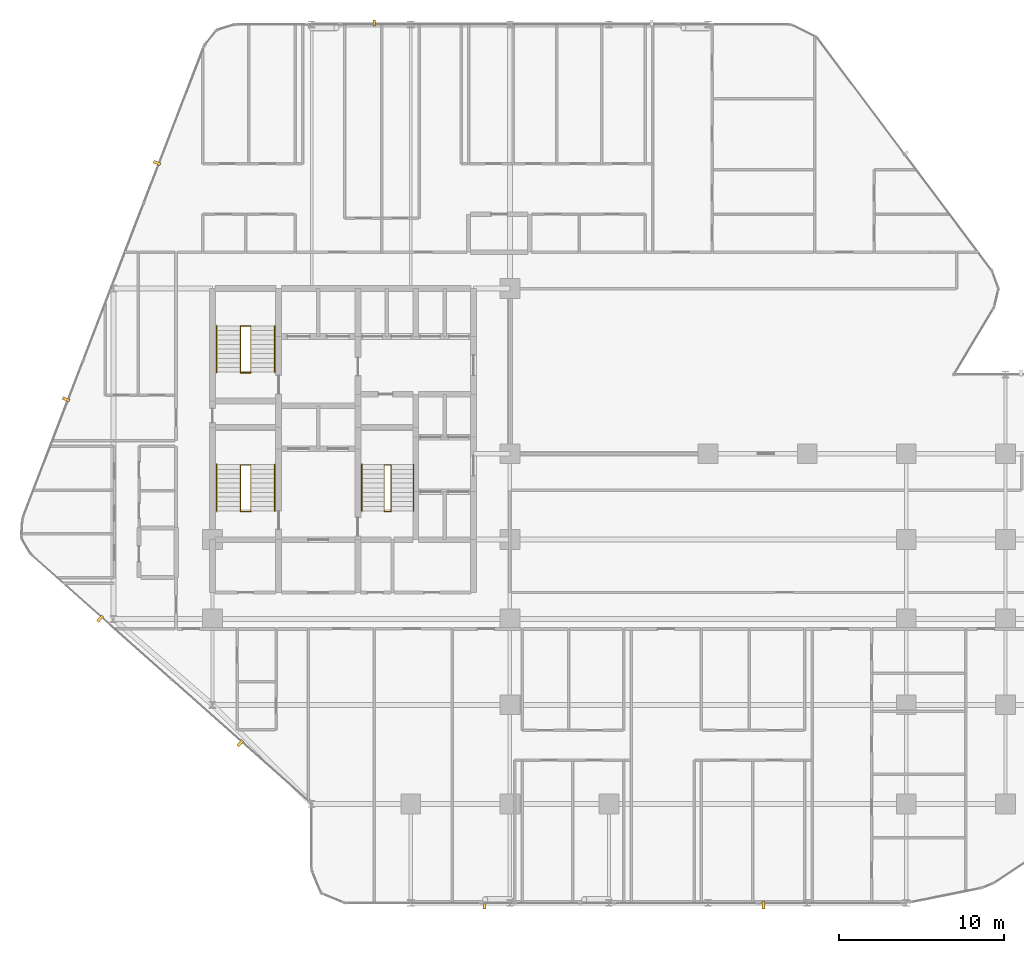
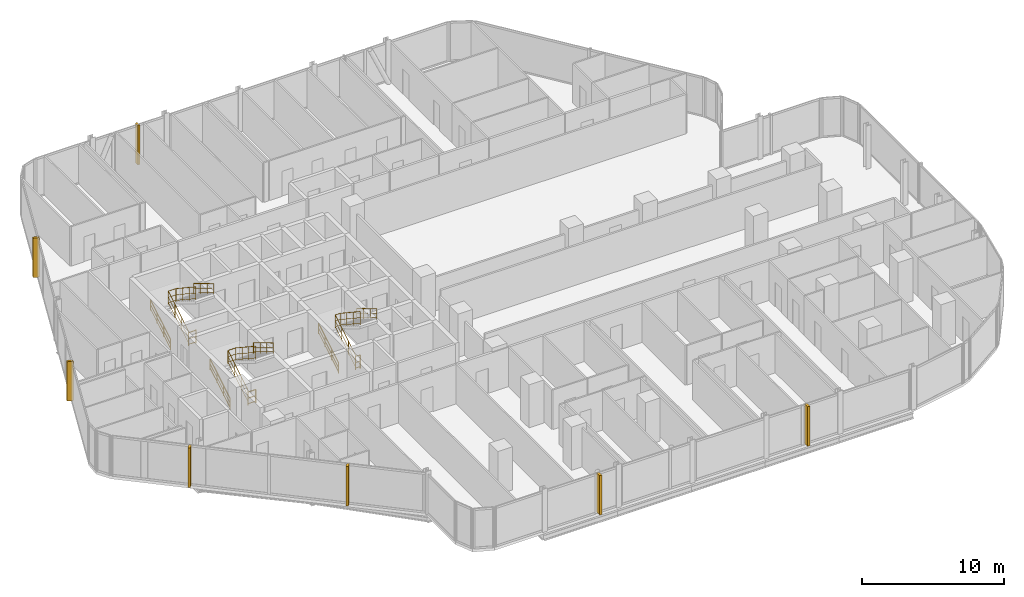
# One storey, part 33 of 34: 12 railings, 7 coverings.
"""IFC4 building model written with IfcOpenShell, lengths in metres."""

from ifc_helpers import new_model, si_unit, direction, frame, origin, origin_2d, place, context, subcontext, project, spatial, rectangle, circle, extrude, material, layer, layer_set, type_object, element, save


model = new_model("IFC4")

# Units and contexts
model_context = context("Model", 3, precision=1e-05, world=origin(), true_north=direction((0.0, 1.0)))
body_context = subcontext(model_context, "Body", "Model", "MODEL_VIEW")
ifc_project = project(units=[si_unit("LENGTHUNIT", "METRE"), si_unit("AREAUNIT", "SQUARE_METRE"), si_unit("VOLUMEUNIT", "CUBIC_METRE"), si_unit("PLANEANGLEUNIT", "RADIAN"), si_unit("MASSUNIT", "GRAM", prefix="KILO")], contexts=[model_context])

# Site, building, storey
site_placement = place(None, origin())
site = spatial("IfcSite", under=ifc_project, at=site_placement, CompositionType="ELEMENT")
building_placement = place(site_placement, origin())
building = spatial("IfcBuilding", under=site, at=building_placement, Name="Keshet Zoharim Tower", CompositionType="ELEMENT")
storey_placement = place(building_placement, frame((0.0, 0.0, 70.10009765625)))
storey = spatial("IfcBuildingStorey", under=building, at=storey_placement, Name="L16", CompositionType="ELEMENT", Elevation=70.10009765625)

# Coverings
ifc_material_1 = material(Name="Concrete C50/60 precast", Category="concrete")
covering_type_1 = type_object("IfcCoveringType", Name="FIN-SOL-360", PredefinedType="CLADDING", material=ifc_material_1)
covering_placement = place(storey_placement, frame((24.780029296875, 53.97998046875, 0.0), z_axis=(0.0, 0.0, 1.0), x_axis=(1.0, 0.0, 0.0)))
element("IfcCovering", 1, at=covering_placement, inside=storey, type_object=covering_type_1, Name="L16 Vertical Precast Solar Fin 05", PredefinedType="CLADDING", context=body_context, shape_type="SweptSolid", body=[
    extrude(rectangle(XDim=0.159912109375, YDim=0.360107421875, at=origin_2d()), origin(), (0.0, 0.0, 1.0), 3.385009765625),
])
covering_type_2 = type_object("IfcCoveringType", Name="FIN-SOL-450", PredefinedType="CLADDING", material=ifc_material_1)
for number, where, z_axis, x_axis, name in (
    (2, (16.676025390625, 10.376953125, 0.0), (0.0, 0.0, 1.0), (-0.747409318679, 0.664363838836, 0.0), "L16 Vertical Precast Solar Fin 01"),
    (3, (8.193115234375, 17.9169921875, 0.0), (0.0, 0.0, 1.0), (-0.747409318679, 0.664363838836, 0.0), "L16 Vertical Precast Solar Fin 02"),
    (4, (6.133056640625, 31.194091796875, 0.0), (0.0, 0.0, 1.0), (0.358990003907, 0.933341404361, 0.0), "L16 Vertical Precast Solar Fin 03"),
    (5, (11.637939453125, 45.507080078125, 0.0), (0.0, 0.0, 1.0), (0.358990003907, 0.933341404361, 0.0), "L16 Vertical Precast Solar Fin 04"),
    (6, (48.35205078125, 0.574951171875, 0.0), (0.0, 0.0, 1.0), (-1.0, 0.0, 0.0), "L16 Vertical Precast Solar Fin 10"),
    (7, (31.450927734375, 0.574951171875, 0.0), (0.0, 0.0, 1.0), (-1.0, 0.0, 0.0), "L16 Vertical Precast Solar Fin 11"),
):
    element("IfcCovering", number, at=place(storey_placement, frame(where, z_axis=z_axis, x_axis=x_axis)), inside=storey, type_object=covering_type_2, Name=name, PredefinedType="CLADDING", context=body_context, shape_type="SweptSolid", body=[
        extrude(rectangle(XDim=0.179931640625, YDim=0.449951171875, at=origin_2d()), origin(), (0.0, 0.0, 1.0), 3.385009765625),
    ])

# Railings
ifc_material_2 = material(Name="Steel S355", Category="steel")
ifc_layer_1 = layer(ifc_material_2, 0.050048828125)
ifc_layer_set_1 = layer_set([ifc_layer_1], Name="Steel S355")
railing_type_1 = type_object("IfcRailingType", Name="RL-HND-092", PredefinedType="HANDRAIL", material=ifc_layer_set_1)
railing_1_placement = place(storey_placement, frame((15.239990234375, 24.43994140625, 0.168212890625)))
element("IfcRailing", 8, at=railing_1_placement, inside=storey, type_object=railing_type_1, Name="L16 ST-01 Flight 1 Wall Handrail", PredefinedType="HANDRAIL", context=body_context, shape_type="SweptSolid", body=[
    extrude(circle(Radius=0.02392578125, at=origin_2d()), frame((0.0, 0.0, 0.89599609375), z_axis=(0.0, 0.857275202839, 0.514858452973), x_axis=(-1.0, 0.0, 0.0)), (0.0, 0.0, 1.0), 3.26611328125),
    extrude(circle(Radius=0.01611328125, at=origin_2d()), frame((0.0, 0.0, 0.478271484375), z_axis=(0.0, 0.857275202839, 0.514858452973), x_axis=(-1.0, 0.0, 0.0)), (0.0, 0.0, 1.0), 3.26611328125),
    extrude(circle(Radius=0.01611328125, at=origin_2d()), frame((0.0, 0.0, 0.1201171875), z_axis=(0.0, 0.857275202839, 0.514858452973), x_axis=(-1.0, 0.0, 0.0)), (0.0, 0.0, 1.0), 3.26611328125),
    extrude(circle(Radius=0.02099609375, at=origin_2d()), origin(), (0.0, 0.0, 1.0), 0.871826171875),
    extrude(circle(Radius=0.02099609375, at=origin_2d()), frame((0.0, 0.933349609375, 0.560546875)), (0.0, 0.0, 1.0), 0.871826171875),
    extrude(circle(Radius=0.02099609375, at=origin_2d()), frame((0.0, 1.86669921875, 1.12109375)), (0.0, 0.0, 1.0), 0.871826171875),
    extrude(circle(Radius=0.02099609375, at=origin_2d()), frame((0.0, 2.800048828125, 1.681640625)), (0.0, 0.0, 1.0), 0.871826171875),
])
railing_2_placement = place(storey_placement, frame((18.760009765625, 27.239990234375, 2.01806640625)))
element("IfcRailing", 9, at=railing_2_placement, inside=storey, type_object=railing_type_1, Name="L16 ST-01 Flight 2 Wall Handrail", PredefinedType="HANDRAIL", context=body_context, shape_type="SweptSolid", body=[
    extrude(circle(Radius=0.02392578125, at=origin_2d()), frame((0.0, 0.0, 0.89599609375), z_axis=(0.0, -0.857242210791, 0.514913383045), x_axis=(1.0, 0.0, 0.0)), (0.0, 0.0, 1.0), 3.266357421875),
    extrude(circle(Radius=0.01611328125, at=origin_2d()), frame((0.0, 0.0, 0.478271484375), z_axis=(0.0, -0.857242210791, 0.514913383045), x_axis=(1.0, 0.0, 0.0)), (0.0, 0.0, 1.0), 3.266357421875),
    extrude(circle(Radius=0.01611328125, at=origin_2d()), frame((0.0, 0.0, 0.1201171875), z_axis=(0.0, -0.857242210791, 0.514913383045), x_axis=(1.0, 0.0, 0.0)), (0.0, 0.0, 1.0), 3.266357421875),
    extrude(circle(Radius=0.02099609375, at=origin_2d()), origin(), (0.0, 0.0, 1.0), 0.871826171875),
    extrude(circle(Radius=0.02099609375, at=origin_2d()), frame((0.0, -0.933349609375, 0.560546875)), (0.0, 0.0, 1.0), 0.871826171875),
    extrude(circle(Radius=0.02099609375, at=origin_2d()), frame((0.0, -1.86669921875, 1.121337890625)), (0.0, 0.0, 1.0), 0.871826171875),
    extrude(circle(Radius=0.02099609375, at=origin_2d()), frame((0.0, -2.800048828125, 1.681884765625)), (0.0, 0.0, 1.0), 0.871826171875),
])
railing_3_placement = place(storey_placement, frame((15.239990234375, 32.840087890625, 0.168212890625)))
element("IfcRailing", 10, at=railing_3_placement, inside=storey, type_object=railing_type_1, Name="L16 ST-02 Flight 1 Wall Handrail", PredefinedType="HANDRAIL", context=body_context, shape_type="SweptSolid", body=[
    extrude(circle(Radius=0.02392578125, at=origin_2d()), frame((0.0, 0.0, 0.89599609375), z_axis=(0.0, 0.857255387014, 0.514891446264), x_axis=(-1.0, 0.0, 0.0)), (0.0, 0.0, 1.0), 3.26611328125),
    extrude(circle(Radius=0.01611328125, at=origin_2d()), frame((0.0, 0.0, 0.478271484375), z_axis=(0.0, 0.857255387014, 0.514891446264), x_axis=(-1.0, 0.0, 0.0)), (0.0, 0.0, 1.0), 3.26611328125),
    extrude(circle(Radius=0.01611328125, at=origin_2d()), frame((0.0, 0.0, 0.1201171875), z_axis=(0.0, 0.857255387014, 0.514891446264), x_axis=(-1.0, 0.0, 0.0)), (0.0, 0.0, 1.0), 3.26611328125),
    extrude(circle(Radius=0.02099609375, at=origin_2d()), origin(), (0.0, 0.0, 1.0), 0.871826171875),
    extrude(circle(Radius=0.02099609375, at=origin_2d()), frame((0.0, 0.933349609375, 0.560546875)), (0.0, 0.0, 1.0), 0.871826171875),
    extrude(circle(Radius=0.02099609375, at=origin_2d()), frame((0.0, 1.866455078125, 1.12109375)), (0.0, 0.0, 1.0), 0.871826171875),
    extrude(circle(Radius=0.02099609375, at=origin_2d()), frame((0.0, 2.7998046875, 1.681640625)), (0.0, 0.0, 1.0), 0.871826171875),
])
railing_4_placement = place(storey_placement, frame((18.760009765625, 35.639892578125, 2.01806640625)))
element("IfcRailing", 11, at=railing_4_placement, inside=storey, type_object=railing_type_1, Name="L16 ST-02 Flight 2 Wall Handrail", PredefinedType="HANDRAIL", context=body_context, shape_type="SweptSolid", body=[
    extrude(circle(Radius=0.02392578125, at=origin_2d()), frame((0.0, 0.0, 0.89599609375), z_axis=(0.0, -0.857222391501, 0.514946377315), x_axis=(1.0, 0.0, 0.0)), (0.0, 0.0, 1.0), 3.26611328125),
    extrude(circle(Radius=0.01611328125, at=origin_2d()), frame((0.0, 0.0, 0.478271484375), z_axis=(0.0, -0.857222391501, 0.514946377315), x_axis=(1.0, 0.0, 0.0)), (0.0, 0.0, 1.0), 3.26611328125),
    extrude(circle(Radius=0.01611328125, at=origin_2d()), frame((0.0, 0.0, 0.1201171875), z_axis=(0.0, -0.857222391501, 0.514946377315), x_axis=(1.0, 0.0, 0.0)), (0.0, 0.0, 1.0), 3.26611328125),
    extrude(circle(Radius=0.02099609375, at=origin_2d()), origin(), (0.0, 0.0, 1.0), 0.871826171875),
    extrude(circle(Radius=0.02099609375, at=origin_2d()), frame((0.0, -0.933349609375, 0.560546875)), (0.0, 0.0, 1.0), 0.871826171875),
    extrude(circle(Radius=0.02099609375, at=origin_2d()), frame((0.0, -1.866455078125, 1.121337890625)), (0.0, 0.0, 1.0), 0.871826171875),
    extrude(circle(Radius=0.02099609375, at=origin_2d()), frame((0.0, -2.7998046875, 1.681884765625)), (0.0, 0.0, 1.0), 0.871826171875),
])
railing_5_placement = place(storey_placement, frame((24.0400390625, 24.43994140625, 0.168212890625)))
element("IfcRailing", 12, at=railing_5_placement, inside=storey, type_object=railing_type_1, Name="L16 ST-03 Flight 1 Wall Handrail", PredefinedType="HANDRAIL", context=body_context, shape_type="SweptSolid", body=[
    extrude(circle(Radius=0.02392578125, at=origin_2d()), frame((0.0, 0.0, 0.89599609375), z_axis=(0.0, 0.857275202839, 0.514858452973), x_axis=(-1.0, 0.0, 0.0)), (0.0, 0.0, 1.0), 3.26611328125),
    extrude(circle(Radius=0.01611328125, at=origin_2d()), frame((0.0, 0.0, 0.478271484375), z_axis=(0.0, 0.857275202839, 0.514858452973), x_axis=(-1.0, 0.0, 0.0)), (0.0, 0.0, 1.0), 3.26611328125),
    extrude(circle(Radius=0.01611328125, at=origin_2d()), frame((0.0, 0.0, 0.1201171875), z_axis=(0.0, 0.857275202839, 0.514858452973), x_axis=(-1.0, 0.0, 0.0)), (0.0, 0.0, 1.0), 3.26611328125),
    extrude(circle(Radius=0.02099609375, at=origin_2d()), origin(), (0.0, 0.0, 1.0), 0.871826171875),
    extrude(circle(Radius=0.02099609375, at=origin_2d()), frame((0.0, 0.933349609375, 0.560546875)), (0.0, 0.0, 1.0), 0.871826171875),
    extrude(circle(Radius=0.02099609375, at=origin_2d()), frame((0.0, 1.86669921875, 1.12109375)), (0.0, 0.0, 1.0), 0.871826171875),
    extrude(circle(Radius=0.02099609375, at=origin_2d()), frame((0.0, 2.800048828125, 1.681640625)), (0.0, 0.0, 1.0), 0.871826171875),
])
railing_6_placement = place(storey_placement, frame((27.159912109375, 27.239990234375, 2.01806640625)))
element("IfcRailing", 13, at=railing_6_placement, inside=storey, type_object=railing_type_1, Name="L16 ST-03 Flight 2 Wall Handrail", PredefinedType="HANDRAIL", context=body_context, shape_type="SweptSolid", body=[
    extrude(circle(Radius=0.02392578125, at=origin_2d()), frame((0.0, 0.0, 0.89599609375), z_axis=(0.0, -0.857242210791, 0.514913383045), x_axis=(1.0, 0.0, 0.0)), (0.0, 0.0, 1.0), 3.266357421875),
    extrude(circle(Radius=0.01611328125, at=origin_2d()), frame((0.0, 0.0, 0.478271484375), z_axis=(0.0, -0.857242210791, 0.514913383045), x_axis=(1.0, 0.0, 0.0)), (0.0, 0.0, 1.0), 3.266357421875),
    extrude(circle(Radius=0.01611328125, at=origin_2d()), frame((0.0, 0.0, 0.1201171875), z_axis=(0.0, -0.857242210791, 0.514913383045), x_axis=(1.0, 0.0, 0.0)), (0.0, 0.0, 1.0), 3.266357421875),
    extrude(circle(Radius=0.02099609375, at=origin_2d()), origin(), (0.0, 0.0, 1.0), 0.871826171875),
    extrude(circle(Radius=0.02099609375, at=origin_2d()), frame((0.0, -0.933349609375, 0.560546875)), (0.0, 0.0, 1.0), 0.871826171875),
    extrude(circle(Radius=0.02099609375, at=origin_2d()), frame((0.0, -1.86669921875, 1.121337890625)), (0.0, 0.0, 1.0), 0.871826171875),
    extrude(circle(Radius=0.02099609375, at=origin_2d()), frame((0.0, -2.800048828125, 1.681884765625)), (0.0, 0.0, 1.0), 0.871826171875),
])
ifc_layer_2 = layer(ifc_material_2, 0.06005859375)
ifc_layer_set_2 = layer_set([ifc_layer_2], Name="Steel S355")
railing_type_2 = type_object("IfcRailingType", Name="RL-STG-115", PredefinedType="GUARDRAIL", material=ifc_layer_set_2)
railing_7_placement = place(storey_placement, frame((16.68994140625, 24.43994140625, 0.168212890625)))
element("IfcRailing", 14, at=railing_7_placement, inside=storey, type_object=railing_type_2, Name="L16 ST-01 Inner Well Guardrail", PredefinedType="GUARDRAIL", context=body_context, shape_type="SweptSolid", body=[
    extrude(circle(Radius=0.02392578125, at=origin_2d()), frame((0.0, 0.0, 1.1259765625), z_axis=(0.0, 0.857275202839, 0.514858452973), x_axis=(-1.0, 0.0, 0.0)), (0.0, 0.0, 1.0), 3.26611328125),
    extrude(circle(Radius=0.01611328125, at=origin_2d()), frame((0.0, 0.0, 0.597900390625), z_axis=(0.0, 0.857275202839, 0.514858452973), x_axis=(-1.0, 0.0, 0.0)), (0.0, 0.0, 1.0), 3.26611328125),
    extrude(circle(Radius=0.01611328125, at=origin_2d()), frame((0.0, 0.0, 0.1201171875), z_axis=(0.0, 0.857275202839, 0.514858452973), x_axis=(-1.0, 0.0, 0.0)), (0.0, 0.0, 1.0), 3.26611328125),
    extrude(circle(Radius=0.02392578125, at=origin_2d()), frame((0.0, 2.800048828125, 2.8076171875), z_axis=(1.0, 0.0, 0.0), x_axis=(0.0, 1.0, 0.0)), (0.0, 0.0, 1.0), 0.6201171875),
    extrude(circle(Radius=0.01611328125, at=origin_2d()), frame((0.0, 2.800048828125, 2.279541015625), z_axis=(1.0, 0.0, 0.0), x_axis=(0.0, 1.0, 0.0)), (0.0, 0.0, 1.0), 0.6201171875),
    extrude(circle(Radius=0.01611328125, at=origin_2d()), frame((0.0, 2.800048828125, 1.8017578125), z_axis=(1.0, 0.0, 0.0), x_axis=(0.0, 1.0, 0.0)), (0.0, 0.0, 1.0), 0.6201171875),
    extrude(circle(Radius=0.02392578125, at=origin_2d()), frame((0.6201171875, 2.800048828125, 2.8076171875), z_axis=(0.0, -0.834326358476, 0.551270829586), x_axis=(1.0, 0.0, 0.0)), (0.0, 0.0, 1.0), 3.35595703125),
    extrude(circle(Radius=0.01611328125, at=origin_2d()), frame((0.6201171875, 2.800048828125, 2.279541015625), z_axis=(0.0, -0.834326358476, 0.551270829586), x_axis=(1.0, 0.0, 0.0)), (0.0, 0.0, 1.0), 3.35595703125),
    extrude(circle(Radius=0.01611328125, at=origin_2d()), frame((0.6201171875, 2.800048828125, 1.8017578125), z_axis=(0.0, -0.834326358476, 0.551270829586), x_axis=(1.0, 0.0, 0.0)), (0.0, 0.0, 1.0), 3.35595703125),
    extrude(circle(Radius=0.02099609375, at=origin_2d()), origin(), (0.0, 0.0, 1.0), 1.101806640625),
    extrude(circle(Radius=0.02099609375, at=origin_2d()), frame((0.0, 0.933349609375, 0.560546875)), (0.0, 0.0, 1.0), 1.101806640625),
    extrude(circle(Radius=0.02099609375, at=origin_2d()), frame((0.0, 1.86669921875, 1.12109375)), (0.0, 0.0, 1.0), 1.101806640625),
    extrude(circle(Radius=0.02099609375, at=origin_2d()), frame((0.0, 2.800048828125, 1.681640625)), (0.0, 0.0, 1.0), 1.101806640625),
    extrude(circle(Radius=0.02099609375, at=origin_2d()), frame((0.6201171875, 2.800048828125, 1.681640625)), (0.0, 0.0, 1.0), 1.101806640625),
    extrude(circle(Radius=0.02099609375, at=origin_2d()), frame((0.6201171875, 1.86669921875, 2.29833984375)), (0.0, 0.0, 1.0), 1.101806640625),
    extrude(circle(Radius=0.02099609375, at=origin_2d()), frame((0.6201171875, 0.933349609375, 2.9150390625)), (0.0, 0.0, 1.0), 1.101806640625),
    extrude(circle(Radius=0.02099609375, at=origin_2d()), frame((0.6201171875, 0.0, 3.53173828125)), (0.0, 0.0, 1.0), 1.101806640625),
])
railing_8_placement = place(storey_placement, frame((16.68994140625, 24.409912109375, 0.0)))
element("IfcRailing", 15, at=railing_8_placement, inside=storey, type_object=railing_type_2, Name="L16 ST-01 Stairwell Floor Guardrail", PredefinedType="GUARDRAIL", context=body_context, shape_type="SweptSolid", body=[
    extrude(circle(Radius=0.02392578125, at=origin_2d()), frame((0.0, 0.0, 1.1259765625), z_axis=(1.0, 0.0, 0.0), x_axis=(0.0, 1.0, 0.0)), (0.0, 0.0, 1.0), 0.6201171875),
    extrude(circle(Radius=0.01611328125, at=origin_2d()), frame((0.0, 0.0, 0.597900390625), z_axis=(1.0, 0.0, 0.0), x_axis=(0.0, 1.0, 0.0)), (0.0, 0.0, 1.0), 0.6201171875),
    extrude(circle(Radius=0.01611328125, at=origin_2d()), frame((0.0, 0.0, 0.1201171875), z_axis=(1.0, 0.0, 0.0), x_axis=(0.0, 1.0, 0.0)), (0.0, 0.0, 1.0), 0.6201171875),
    extrude(circle(Radius=0.02099609375, at=origin_2d()), origin(), (0.0, 0.0, 1.0), 1.101806640625),
    extrude(circle(Radius=0.02099609375, at=origin_2d()), frame((0.6201171875, 0.0, 0.0)), (0.0, 0.0, 1.0), 1.101806640625),
])
railing_9_placement = place(storey_placement, frame((16.68994140625, 32.840087890625, 0.168212890625)))
element("IfcRailing", 16, at=railing_9_placement, inside=storey, type_object=railing_type_2, Name="L16 ST-02 Inner Well Guardrail", PredefinedType="GUARDRAIL", context=body_context, shape_type="SweptSolid", body=[
    extrude(circle(Radius=0.02392578125, at=origin_2d()), frame((0.0, 0.0, 1.1259765625), z_axis=(0.0, 0.857255387014, 0.514891446264), x_axis=(-1.0, 0.0, 0.0)), (0.0, 0.0, 1.0), 3.26611328125),
    extrude(circle(Radius=0.01611328125, at=origin_2d()), frame((0.0, 0.0, 0.597900390625), z_axis=(0.0, 0.857255387014, 0.514891446264), x_axis=(-1.0, 0.0, 0.0)), (0.0, 0.0, 1.0), 3.26611328125),
    extrude(circle(Radius=0.01611328125, at=origin_2d()), frame((0.0, 0.0, 0.1201171875), z_axis=(0.0, 0.857255387014, 0.514891446264), x_axis=(-1.0, 0.0, 0.0)), (0.0, 0.0, 1.0), 3.26611328125),
    extrude(circle(Radius=0.02392578125, at=origin_2d()), frame((0.0, 2.7998046875, 2.8076171875), z_axis=(1.0, 0.0, 0.0), x_axis=(0.0, 1.0, 0.0)), (0.0, 0.0, 1.0), 0.6201171875),
    extrude(circle(Radius=0.01611328125, at=origin_2d()), frame((0.0, 2.7998046875, 2.279541015625), z_axis=(1.0, 0.0, 0.0), x_axis=(0.0, 1.0, 0.0)), (0.0, 0.0, 1.0), 0.6201171875),
    extrude(circle(Radius=0.01611328125, at=origin_2d()), frame((0.0, 2.7998046875, 1.8017578125), z_axis=(1.0, 0.0, 0.0), x_axis=(0.0, 1.0, 0.0)), (0.0, 0.0, 1.0), 0.6201171875),
    extrude(circle(Radius=0.02392578125, at=origin_2d()), frame((0.6201171875, 2.7998046875, 2.8076171875), z_axis=(0.0, -0.834304248922, 0.551304290053), x_axis=(1.0, 0.0, 0.0)), (0.0, 0.0, 1.0), 3.35595703125),
    extrude(circle(Radius=0.01611328125, at=origin_2d()), frame((0.6201171875, 2.7998046875, 2.279541015625), z_axis=(0.0, -0.834304248922, 0.551304290053), x_axis=(1.0, 0.0, 0.0)), (0.0, 0.0, 1.0), 3.35595703125),
    extrude(circle(Radius=0.01611328125, at=origin_2d()), frame((0.6201171875, 2.7998046875, 1.8017578125), z_axis=(0.0, -0.834304248922, 0.551304290053), x_axis=(1.0, 0.0, 0.0)), (0.0, 0.0, 1.0), 3.35595703125),
    extrude(circle(Radius=0.02099609375, at=origin_2d()), origin(), (0.0, 0.0, 1.0), 1.101806640625),
    extrude(circle(Radius=0.02099609375, at=origin_2d()), frame((0.0, 0.933349609375, 0.560546875)), (0.0, 0.0, 1.0), 1.101806640625),
    extrude(circle(Radius=0.02099609375, at=origin_2d()), frame((0.0, 1.866455078125, 1.12109375)), (0.0, 0.0, 1.0), 1.101806640625),
    extrude(circle(Radius=0.02099609375, at=origin_2d()), frame((0.0, 2.7998046875, 1.681640625)), (0.0, 0.0, 1.0), 1.101806640625),
    extrude(circle(Radius=0.02099609375, at=origin_2d()), frame((0.6201171875, 2.7998046875, 1.681640625)), (0.0, 0.0, 1.0), 1.101806640625),
    extrude(circle(Radius=0.02099609375, at=origin_2d()), frame((0.6201171875, 1.866455078125, 2.29833984375)), (0.0, 0.0, 1.0), 1.101806640625),
    extrude(circle(Radius=0.02099609375, at=origin_2d()), frame((0.6201171875, 0.933349609375, 2.9150390625)), (0.0, 0.0, 1.0), 1.101806640625),
    extrude(circle(Radius=0.02099609375, at=origin_2d()), frame((0.6201171875, 0.0, 3.53173828125)), (0.0, 0.0, 1.0), 1.101806640625),
])
railing_10_placement = place(storey_placement, frame((16.68994140625, 32.81005859375, 0.0)))
element("IfcRailing", 17, at=railing_10_placement, inside=storey, type_object=railing_type_2, Name="L16 ST-02 Stairwell Floor Guardrail", PredefinedType="GUARDRAIL", context=body_context, shape_type="SweptSolid", body=[
    extrude(circle(Radius=0.02392578125, at=origin_2d()), frame((0.0, 0.0, 1.1259765625), z_axis=(1.0, 0.0, 0.0), x_axis=(0.0, 1.0, 0.0)), (0.0, 0.0, 1.0), 0.6201171875),
    extrude(circle(Radius=0.01611328125, at=origin_2d()), frame((0.0, 0.0, 0.597900390625), z_axis=(1.0, 0.0, 0.0), x_axis=(0.0, 1.0, 0.0)), (0.0, 0.0, 1.0), 0.6201171875),
    extrude(circle(Radius=0.01611328125, at=origin_2d()), frame((0.0, 0.0, 0.1201171875), z_axis=(1.0, 0.0, 0.0), x_axis=(0.0, 1.0, 0.0)), (0.0, 0.0, 1.0), 0.6201171875),
    extrude(circle(Radius=0.02099609375, at=origin_2d()), origin(), (0.0, 0.0, 1.0), 1.101806640625),
    extrude(circle(Radius=0.02099609375, at=origin_2d()), frame((0.6201171875, 0.0, 0.0)), (0.0, 0.0, 1.0), 1.101806640625),
])
railing_11_placement = place(storey_placement, frame((25.39990234375, 24.43994140625, 0.168212890625)))
element("IfcRailing", 18, at=railing_11_placement, inside=storey, type_object=railing_type_2, Name="L16 ST-03 Inner Well Guardrail", PredefinedType="GUARDRAIL", context=body_context, shape_type="SweptSolid", body=[
    extrude(circle(Radius=0.02392578125, at=origin_2d()), frame((0.0, 0.0, 1.1259765625), z_axis=(0.0, 0.857275202839, 0.514858452973), x_axis=(-1.0, 0.0, 0.0)), (0.0, 0.0, 1.0), 3.26611328125),
    extrude(circle(Radius=0.01611328125, at=origin_2d()), frame((0.0, 0.0, 0.597900390625), z_axis=(0.0, 0.857275202839, 0.514858452973), x_axis=(-1.0, 0.0, 0.0)), (0.0, 0.0, 1.0), 3.26611328125),
    extrude(circle(Radius=0.01611328125, at=origin_2d()), frame((0.0, 0.0, 0.1201171875), z_axis=(0.0, 0.857275202839, 0.514858452973), x_axis=(-1.0, 0.0, 0.0)), (0.0, 0.0, 1.0), 3.26611328125),
    extrude(circle(Radius=0.02392578125, at=origin_2d()), frame((0.0, 2.800048828125, 2.8076171875), z_axis=(1.0, 0.0, 0.0), x_axis=(0.0, 1.0, 0.0)), (0.0, 0.0, 1.0), 0.400146484375),
    extrude(circle(Radius=0.01611328125, at=origin_2d()), frame((0.0, 2.800048828125, 2.279541015625), z_axis=(1.0, 0.0, 0.0), x_axis=(0.0, 1.0, 0.0)), (0.0, 0.0, 1.0), 0.400146484375),
    extrude(circle(Radius=0.01611328125, at=origin_2d()), frame((0.0, 2.800048828125, 1.8017578125), z_axis=(1.0, 0.0, 0.0), x_axis=(0.0, 1.0, 0.0)), (0.0, 0.0, 1.0), 0.400146484375),
    extrude(circle(Radius=0.02392578125, at=origin_2d()), frame((0.400146484375, 2.800048828125, 2.8076171875), z_axis=(0.0, -0.834326358476, 0.551270829586), x_axis=(1.0, 0.0, 0.0)), (0.0, 0.0, 1.0), 3.35595703125),
    extrude(circle(Radius=0.01611328125, at=origin_2d()), frame((0.400146484375, 2.800048828125, 2.279541015625), z_axis=(0.0, -0.834326358476, 0.551270829586), x_axis=(1.0, 0.0, 0.0)), (0.0, 0.0, 1.0), 3.35595703125),
    extrude(circle(Radius=0.01611328125, at=origin_2d()), frame((0.400146484375, 2.800048828125, 1.8017578125), z_axis=(0.0, -0.834326358476, 0.551270829586), x_axis=(1.0, 0.0, 0.0)), (0.0, 0.0, 1.0), 3.35595703125),
    extrude(circle(Radius=0.02099609375, at=origin_2d()), origin(), (0.0, 0.0, 1.0), 1.101806640625),
    extrude(circle(Radius=0.02099609375, at=origin_2d()), frame((0.0, 0.933349609375, 0.560546875)), (0.0, 0.0, 1.0), 1.101806640625),
    extrude(circle(Radius=0.02099609375, at=origin_2d()), frame((0.0, 1.86669921875, 1.12109375)), (0.0, 0.0, 1.0), 1.101806640625),
    extrude(circle(Radius=0.02099609375, at=origin_2d()), frame((0.0, 2.800048828125, 1.681640625)), (0.0, 0.0, 1.0), 1.101806640625),
    extrude(circle(Radius=0.02099609375, at=origin_2d()), frame((0.400146484375, 2.800048828125, 1.681640625)), (0.0, 0.0, 1.0), 1.101806640625),
    extrude(circle(Radius=0.02099609375, at=origin_2d()), frame((0.400146484375, 1.86669921875, 2.29833984375)), (0.0, 0.0, 1.0), 1.101806640625),
    extrude(circle(Radius=0.02099609375, at=origin_2d()), frame((0.400146484375, 0.933349609375, 2.9150390625)), (0.0, 0.0, 1.0), 1.101806640625),
    extrude(circle(Radius=0.02099609375, at=origin_2d()), frame((0.400146484375, 0.0, 3.53173828125)), (0.0, 0.0, 1.0), 1.101806640625),
])
railing_12_placement = place(storey_placement, frame((25.39990234375, 24.409912109375, 0.0)))
element("IfcRailing", 19, at=railing_12_placement, inside=storey, type_object=railing_type_2, Name="L16 ST-03 Stairwell Floor Guardrail", PredefinedType="GUARDRAIL", context=body_context, shape_type="SweptSolid", body=[
    extrude(circle(Radius=0.02392578125, at=origin_2d()), frame((0.0, 0.0, 1.1259765625), z_axis=(1.0, 0.0, 0.0), x_axis=(0.0, 1.0, 0.0)), (0.0, 0.0, 1.0), 0.400146484375),
    extrude(circle(Radius=0.01611328125, at=origin_2d()), frame((0.0, 0.0, 0.597900390625), z_axis=(1.0, 0.0, 0.0), x_axis=(0.0, 1.0, 0.0)), (0.0, 0.0, 1.0), 0.400146484375),
    extrude(circle(Radius=0.01611328125, at=origin_2d()), frame((0.0, 0.0, 0.1201171875), z_axis=(1.0, 0.0, 0.0), x_axis=(0.0, 1.0, 0.0)), (0.0, 0.0, 1.0), 0.400146484375),
    extrude(circle(Radius=0.02099609375, at=origin_2d()), origin(), (0.0, 0.0, 1.0), 1.101806640625),
    extrude(circle(Radius=0.02099609375, at=origin_2d()), frame((0.400146484375, 0.0, 0.0)), (0.0, 0.0, 1.0), 1.101806640625),
])

save(model, "model.ifc")
